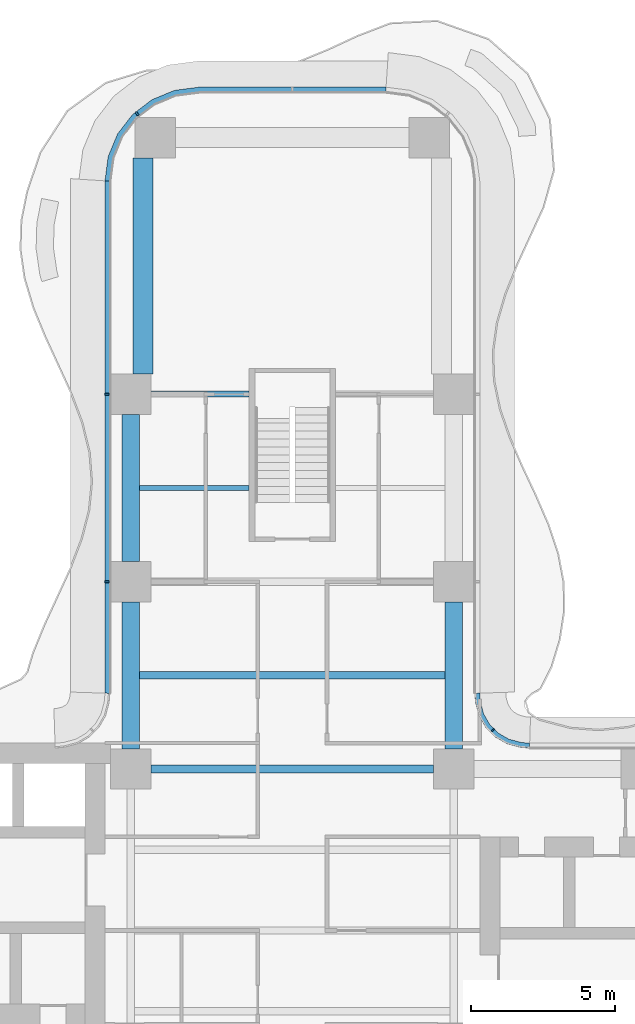
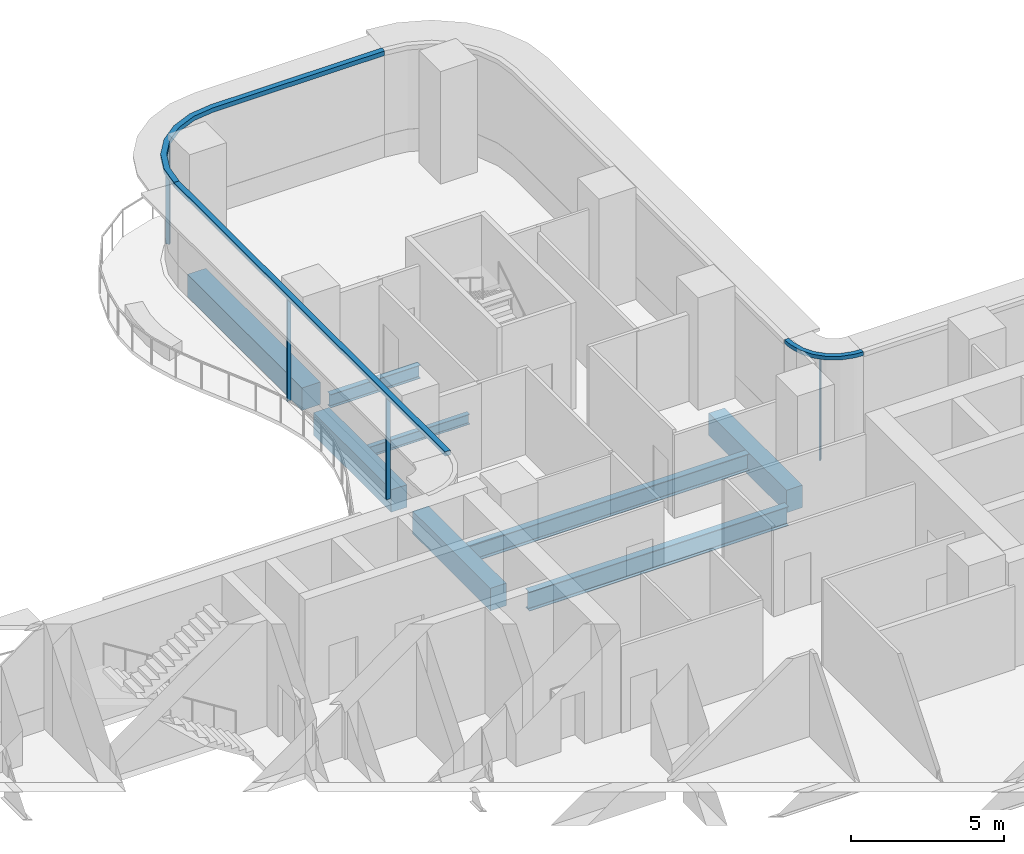
# One storey, part 9 of 22: 8 beams, 7 members, 3 elements without a shape of their own.
"""IFC4 building model written with IfcOpenShell, lengths in metres."""

from ifc_helpers import new_model, si_unit, direction, frame, origin, origin_2d, place, context, subcontext, project, spatial, polyline, rectangle, i_section, outline, extrude, source, transform, mapped, material, layer, layer_set, material_profile, profile_set, type_object, element, aggregate, save


model = new_model("IFC4")

# Units and contexts
model_context = context("Model", 3, precision=1e-05, world=origin(), true_north=direction((0.0, 1.0)))
body_context = subcontext(model_context, "Body", "Model", "MODEL_VIEW")
ifc_project = project(units=[si_unit("LENGTHUNIT", "METRE"), si_unit("AREAUNIT", "SQUARE_METRE"), si_unit("VOLUMEUNIT", "CUBIC_METRE"), si_unit("PLANEANGLEUNIT", "RADIAN"), si_unit("MASSUNIT", "GRAM", prefix="KILO")], contexts=[model_context])

# Site, building, storey
site_placement = place(None, origin())
site = spatial("IfcSite", under=ifc_project, at=site_placement, CompositionType="ELEMENT")
building_placement = place(site_placement, origin())
building = spatial("IfcBuilding", under=site, at=building_placement, Name="Trellis Farm Tower", CompositionType="ELEMENT")
storey_placement = place(building_placement, frame((0.0, 0.0, 38.5)))
storey = spatial("IfcBuildingStorey", under=building, at=storey_placement, Name="L07", CompositionType="ELEMENT", Elevation=38.5)

# Beams
ifc_material_1 = material(Name="Steel S355", Category="steel")
ifc_material_profile_1 = material_profile(ifc_material_1, i_section(OverallWidth=0.209228515625, OverallDepth=0.533203125, WebThickness=0.010009765625, FlangeThickness=0.015625, FilletRadius=0.0126953125, at=origin_2d()), Name="UB 533x210x92")
ifc_profile_set_1 = profile_set([ifc_material_profile_1], Name="Steel S355")
beam_type_1 = type_object("IfcBeamType", Name="UB 533x210x92", PredefinedType="BEAM", material=ifc_profile_set_1)
shared_shape_1 = source(origin(), body_context, "Body", "SweptSolid", [
    extrude(i_section(OverallWidth=0.209228515625, OverallDepth=0.533203125, WebThickness=0.010009765625, FlangeThickness=0.015625, FilletRadius=0.0126953125, at=origin_2d()), origin(), (0.0, 0.0, 1.0), 3.39990234375),
])
beam_1_placement = place(storey_placement, frame((-4.89990234375, 18.60009765625, -0.5166015625), z_axis=(1.0, 0.0, 0.0), x_axis=(0.0, 1.0, 0.0)))
element("IfcBeam", 1, at=beam_1_placement, inside=storey, type_object=beam_type_1, Name="Girder", PredefinedType="BEAM", context=body_context, shape_type="MappedRepresentation", body=[
    mapped(shared_shape_1, transform((0.0, 0.0, 0.0))),
])
ifc_material_2 = material(Name="Concrete C60/75", Category="concrete")
ifc_material_profile_2 = material_profile(ifc_material_2, rectangle(XDim=0.60009765625, YDim=0.89990234375, at=origin_2d()), Name="RC spandrel beam 600x900 C60/75")
ifc_profile_set_2 = profile_set([ifc_material_profile_2], Name="Concrete C60/75")
beam_type_2 = type_object("IfcBeamType", Name="RC spandrel beam 600x900 C60/75", PredefinedType="SPANDREL", material=ifc_profile_set_2)
shared_shape_2 = source(origin(), body_context, "Body", "SweptSolid", [
    extrude(rectangle(XDim=0.60009765625, YDim=0.89990234375, at=origin_2d()), origin(), (0.0, 0.0, 1.0), 5.099853515625),
])
for number, where, z_axis, x_axis, name in (
    (2, (-5.60009765625, 6.300048828125, -0.699951171875), (0.0, 1.0, 0.0), (-1.0, 0.0, 0.0), "Girder"),
    (3, (-5.60009765625, 12.800048828125, -0.699951171875), (0.0, 1.0, 0.0), (-1.0, 0.0, 0.0), "Girder"),
    (4, (5.60009765625, 6.300048828125, -0.699951171875), (0.0, 1.0, 0.0), (-1.0, 0.0, 0.0), "Girder"),
):
    element("IfcBeam", number, at=place(storey_placement, frame(where, z_axis=z_axis, x_axis=x_axis)), inside=storey, type_object=beam_type_2, Name=name, PredefinedType="SPANDREL", context=body_context, shape_type="MappedRepresentation", body=[
        mapped(shared_shape_2, transform((0.0, 0.0, 0.0))),
    ])
ifc_material_profile_3 = material_profile(ifc_material_1, i_section(OverallWidth=0.2666015625, OverallDepth=0.76220703125, WebThickness=0.014404296875, FlangeThickness=0.021484375, FilletRadius=0.0166015625, at=origin_2d()), Name="UB 762x267x173")
ifc_profile_set_3 = profile_set([ifc_material_profile_3], Name="Steel S355")
beam_type_3 = type_object("IfcBeamType", Name="UB 762x267x173", PredefinedType="BEAM", material=ifc_profile_set_3)
shared_shape_3 = source(origin(), body_context, "Body", "SweptSolid", [
    extrude(i_section(OverallWidth=0.2666015625, OverallDepth=0.76220703125, WebThickness=0.014404296875, FlangeThickness=0.021484375, FilletRadius=0.0166015625, at=origin_2d()), origin(), (0.0, 0.0, 1.0), 9.7998046875),
])
beam_2_placement = place(storey_placement, frame((-4.89990234375, 5.60009765625, -0.631103515625), z_axis=(1.0, 0.0, 0.0), x_axis=(0.0, 1.0, 0.0)))
element("IfcBeam", 5, at=beam_2_placement, inside=storey, type_object=beam_type_3, Name="Girder", PredefinedType="BEAM", context=body_context, shape_type="MappedRepresentation", body=[
    mapped(shared_shape_3, transform((0.0, 0.0, 0.0))),
])
ifc_material_profile_4 = material_profile(ifc_material_2, rectangle(XDim=0.699951171875, YDim=0.89990234375, at=origin_2d()), Name="RC spandrel beam 700x900 C60/75")
ifc_profile_set_4 = profile_set([ifc_material_profile_4], Name="Concrete C60/75")
beam_type_4 = type_object("IfcBeamType", Name="RC spandrel beam 700x900 C60/75", PredefinedType="SPANDREL", material=ifc_profile_set_4)
shared_shape_4 = source(origin(), body_context, "Body", "SweptSolid", [
    extrude(rectangle(XDim=0.699951171875, YDim=0.89990234375, at=origin_2d()), origin(), (0.0, 0.0, 1.0), 7.5),
])
beam_3_placement = place(storey_placement, frame((-5.175048828125, 19.300048828125, -0.699951171875), z_axis=(0.0, 1.0, 0.0), x_axis=(-1.0, 0.0, 0.0)))
element("IfcBeam", 6, at=beam_3_placement, inside=storey, type_object=beam_type_4, Name="Girder", PredefinedType="SPANDREL", context=body_context, shape_type="MappedRepresentation", body=[
    mapped(shared_shape_4, transform((0.0, 0.0, 0.0))),
])
ifc_material_profile_5 = material_profile(ifc_material_1, i_section(OverallWidth=0.177978515625, OverallDepth=0.406494140625, WebThickness=0.0078125, FlangeThickness=0.0126953125, FilletRadius=0.01025390625, at=origin_2d()), Name="UB 406x178x60")
ifc_profile_set_5 = profile_set([ifc_material_profile_5], Name="Steel S355")
beam_type_5 = type_object("IfcBeamType", Name="UB 406x178x60 joist", PredefinedType="JOIST", material=ifc_profile_set_5)
shared_shape_5 = source(origin(), body_context, "Body", "SweptSolid", [
    extrude(i_section(OverallWidth=0.177978515625, OverallDepth=0.406494140625, WebThickness=0.0078125, FlangeThickness=0.0126953125, FilletRadius=0.01025390625, at=origin_2d()), origin(), (0.0, 0.0, 1.0), 3.800048828125),
])
beam_4_placement = place(storey_placement, frame((-5.300048828125, 15.35009765625, -0.453125), z_axis=(1.0, 0.0, 0.0), x_axis=(0.0, 1.0, 0.0)))
element("IfcBeam", 7, at=beam_4_placement, inside=storey, type_object=beam_type_5, Name="Floor beam", PredefinedType="JOIST", context=body_context, shape_type="MappedRepresentation", body=[
    mapped(shared_shape_5, transform((0.0, 0.0, 0.0))),
])
ifc_material_profile_6 = material_profile(ifc_material_1, i_section(OverallWidth=0.253662109375, OverallDepth=0.68359375, WebThickness=0.012451171875, FlangeThickness=0.021728515625, FilletRadius=0.01513671875, at=origin_2d()), Name="UB 686x254x140")
ifc_profile_set_6 = profile_set([ifc_material_profile_6], Name="Steel S355")
beam_type_6 = type_object("IfcBeamType", Name="UB 686x254x140 joist", PredefinedType="JOIST", material=ifc_profile_set_6)
shared_shape_6 = source(origin(), body_context, "Body", "SweptSolid", [
    extrude(i_section(OverallWidth=0.253662109375, OverallDepth=0.68359375, WebThickness=0.012451171875, FlangeThickness=0.021728515625, FilletRadius=0.01513671875, at=origin_2d()), origin(), (0.0, 0.0, 1.0), 10.60009765625),
])
beam_5_placement = place(storey_placement, frame((-5.300048828125, 8.85009765625, -0.591796875), z_axis=(1.0, 0.0, 0.0), x_axis=(0.0, 1.0, 0.0)))
element("IfcBeam", 8, at=beam_5_placement, inside=storey, type_object=beam_type_6, Name="Floor beam", PredefinedType="JOIST", context=body_context, shape_type="MappedRepresentation", body=[
    mapped(shared_shape_6, transform((0.0, 0.0, 0.0))),
])

# Curtain wall, member
ifc_material_3 = material(Name="Aluminium and glass curtain wall", Category="aluminium")
ifc_layer_1 = layer(ifc_material_3, 0.18994140625)
ifc_layer_set_1 = layer_set([ifc_layer_1], Name="RIBBON CURTAIN WALL CW1")
curtain_wall_type_1 = type_object("IfcCurtainWallType", Name="RIBBON CURTAIN WALL CW1", PredefinedType="NOTDEFINED", material=ifc_layer_set_1)
placement_1 = place(storey_placement, origin())
curtain_wall_1 = element("IfcCurtainWall", 9, at=placement_1, inside=storey, type_object=curtain_wall_type_1, Name="CW1 010", PredefinedType="NOTDEFINED")
ifc_material_4 = material(Name="Aluminium extrusion 6063-T6", Category="aluminium")
ifc_material_profile_7 = material_profile(ifc_material_4, rectangle(XDim=0.06005859375, YDim=0.14990234375, at=origin_2d()), Name="MULLION 60x150")
ifc_profile_set_7 = profile_set([ifc_material_profile_7], Name="Aluminium extrusion 6063-T6")
member_type_1 = type_object("IfcMemberType", Name="CW1 MULLION 60x150", PredefinedType="MULLION", material=ifc_profile_set_7)
shared_shape_7 = source(origin(), body_context, "Body", "SweptSolid", [
    extrude(rectangle(XDim=0.06005859375, YDim=0.14990234375, at=origin_2d()), origin(), (0.0, 0.0, 1.0), 4.070068359375),
])
member_1_placement = place(storey_placement, frame((-5.385498046875, 28.328369140625, 0.0), z_axis=(0.0, 0.0, 1.0), x_axis=(-0.793353340291, -0.608761429009, 0.0)))
member_1 = element("IfcMember", 10, at=member_1_placement, type_object=member_type_1, Name="MU1 010-02", PredefinedType="MULLION", context=body_context, shape_type="MappedRepresentation", body=[
    mapped(shared_shape_7, transform((0.0, 0.0, 0.0))),
])

# Curtain wall, members
curtain_wall_2 = element("IfcCurtainWall", 11, at=placement_1, inside=storey, type_object=curtain_wall_type_1, Name="CW1 011", PredefinedType="NOTDEFINED")
member_2_placement = place(storey_placement, frame((-6.425048828125, 18.60009765625, 0.0), z_axis=(0.0, 0.0, 1.0), x_axis=(0.0, -1.0, 0.0)))
member_2 = element("IfcMember", 12, at=member_2_placement, type_object=member_type_1, Name="MU1 011-01", PredefinedType="MULLION", context=body_context, shape_type="MappedRepresentation", body=[
    mapped(shared_shape_7, transform((0.0, 0.0, 0.0))),
])
member_3_placement = place(storey_placement, frame((-6.425048828125, 12.10009765625, 0.0), z_axis=(0.0, 0.0, 1.0), x_axis=(0.0, -1.0, 0.0)))
member_3 = element("IfcMember", 13, at=member_3_placement, type_object=member_type_1, Name="MU1 011-02", PredefinedType="MULLION", context=body_context, shape_type="MappedRepresentation", body=[
    mapped(shared_shape_7, transform((0.0, 0.0, 0.0))),
])

ifc_layer_2 = layer(ifc_material_3, 0.166015625)
ifc_layer_set_2 = layer_set([ifc_layer_2], Name="WINTER GARDEN CURTAIN WALL CW3")
curtain_wall_type_2 = type_object("IfcCurtainWallType", Name="WINTER GARDEN CURTAIN WALL CW3", PredefinedType="NOTDEFINED", material=ifc_layer_set_2)
curtain_wall_3 = element("IfcCurtainWall", 14, at=placement_1, inside=storey, type_object=curtain_wall_type_2, Name="CW3 003", PredefinedType="NOTDEFINED")
ifc_material_profile_8 = material_profile(ifc_material_4, rectangle(XDim=0.050048828125, YDim=0.1201171875, at=origin_2d()), Name="MULLION 50x120")
ifc_profile_set_8 = profile_set([ifc_material_profile_8], Name="Aluminium extrusion 6063-T6")
member_type_2 = type_object("IfcMemberType", Name="CW3 MULLION 50x120", PredefinedType="MULLION", material=ifc_profile_set_8)
shared_shape_8 = source(origin(), body_context, "Body", "SweptSolid", [
    extrude(rectangle(XDim=0.050048828125, YDim=0.1201171875, at=origin_2d()), origin(), (0.0, 0.0, 1.0), 4.10009765625),
])
member_4_placement = place(storey_placement, frame((6.953125, 6.953125, 0.0), z_axis=(0.0, 0.0, 1.0), x_axis=(-0.707106781187, 0.707106781187, 0.0)))
member_4 = element("IfcMember", 15, at=member_4_placement, type_object=member_type_2, Name="MU3 003-01", PredefinedType="MULLION", context=body_context, shape_type="MappedRepresentation", body=[
    mapped(shared_shape_8, transform((0.0, 0.0, 0.0))),
])
ifc_layer_3 = layer(ifc_material_4, 0.169921875)
ifc_layer_set_3 = layer_set([ifc_layer_3], Name="Aluminium extrusion 6063-T6")
member_type_3 = type_object("IfcMemberType", Name="CW3 TRANSOM 170x150", PredefinedType="USERDEFINED", material=ifc_layer_set_3)
shared_shape_9 = source(origin(), body_context, "Body", "SweptSolid", [
    extrude(outline(polyline([(8.2314453125, 6.5), (8.01953125, 6.513916015625), (7.91552734375, 6.527587890625), (7.508544921875, 6.63671875), (7.144287109375, 6.846923828125), (6.846923828125, 7.144287109375), (6.63671875, 7.508544921875), (6.527587890625, 7.91552734375), (6.513916015625, 8.01953125), (6.5, 8.2314453125), (6.330078125, 8.225830078125), (6.3447265625, 8.0029296875), (6.360595703125, 7.88232421875), (6.478271484375, 7.44287109375), (6.7109375, 7.0400390625), (7.0400390625, 6.7109375), (7.44287109375, 6.478271484375), (7.88232421875, 6.360595703125), (8.0029296875, 6.3447265625), (8.225830078125, 6.330078125), (8.2314453125, 6.5)])), origin(), (0.0, 0.0, 1.0), 0.14990234375),
])
member_5_placement = place(storey_placement, frame((0.0, 0.0, 4.10009765625)))
member_5 = element("IfcMember", 16, at=member_5_placement, type_object=member_type_3, Name="TR3 003", ObjectType="TRANSOM", PredefinedType="USERDEFINED", context=body_context, shape_type="MappedRepresentation", body=[
    mapped(shared_shape_9, transform((0.0, 0.0, 0.0))),
])
aggregate(curtain_wall_3, [member_4, member_5])

# Member
ifc_layer_4 = layer(ifc_material_4, 0.199951171875)
ifc_layer_set_4 = layer_set([ifc_layer_4], Name="Aluminium extrusion 6063-T6")
member_type_4 = type_object("IfcMemberType", Name="CW1 TRANSOM 200x180", PredefinedType="USERDEFINED", material=ifc_layer_set_4)
shared_shape_10 = source(origin(), body_context, "Body", "SweptSolid", [
    extrude(outline(polyline([(3.25, 29.25), (-3.25, 29.25), (-4.091064453125, 29.13916015625), (-4.875, 28.814697265625), (-5.548095703125, 28.298095703125), (-6.064697265625, 27.625), (-6.38916015625, 26.841064453125), (-6.5, 26.0), (-6.300048828125, 25.98681640625), (-6.1943359375, 26.7890625), (-5.889892578125, 27.524169921875), (-5.405517578125, 28.155517578125), (-4.774169921875, 28.639892578125), (-4.0390625, 28.9443359375), (-3.23681640625, 29.050048828125), (3.23681640625, 29.050048828125), (3.25, 29.25)])), origin(), (0.0, 0.0, 1.0), 0.179931640625),
])
placement_2 = place(storey_placement, frame((0.0, 0.0, 4.070068359375)))
member_6 = element("IfcMember", 17, at=placement_2, type_object=member_type_4, Name="TR1 010", ObjectType="TRANSOM", PredefinedType="USERDEFINED", context=body_context, shape_type="MappedRepresentation", body=[
    mapped(shared_shape_10, transform((0.0, 0.0, 0.0))),
])

aggregate(curtain_wall_1, [member_1, member_6])

shared_shape_11 = source(origin(), body_context, "Body", "SweptSolid", [
    extrude(outline(polyline([(-6.5, 26.0), (-6.5, 8.2314453125), (-6.300048828125, 8.224853515625), (-6.300048828125, 25.98681640625), (-6.5, 26.0)])), origin(), (0.0, 0.0, 1.0), 0.179931640625),
])
member_7 = element("IfcMember", 18, at=placement_2, type_object=member_type_4, Name="TR1 011", ObjectType="TRANSOM", PredefinedType="USERDEFINED", context=body_context, shape_type="MappedRepresentation", body=[
    mapped(shared_shape_11, transform((0.0, 0.0, 0.0))),
])

aggregate(curtain_wall_2, [member_2, member_3, member_7])

save(model, "model.ifc")
